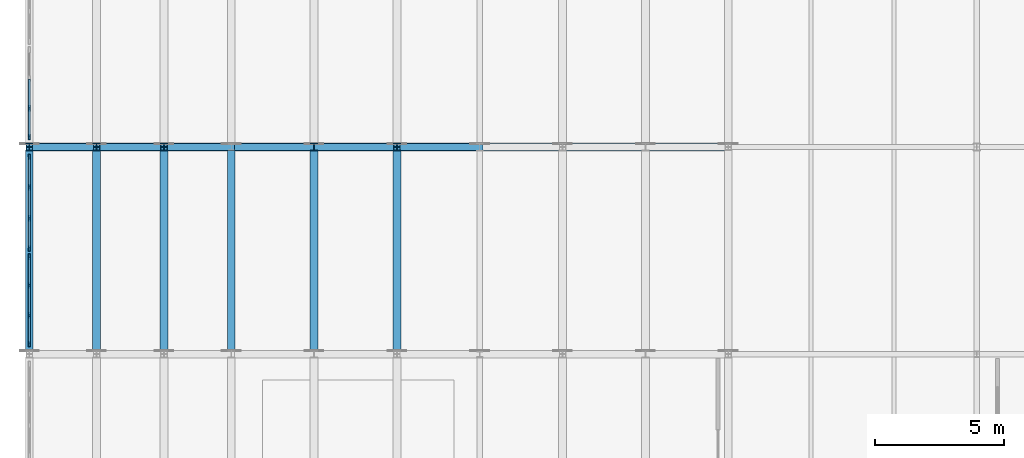
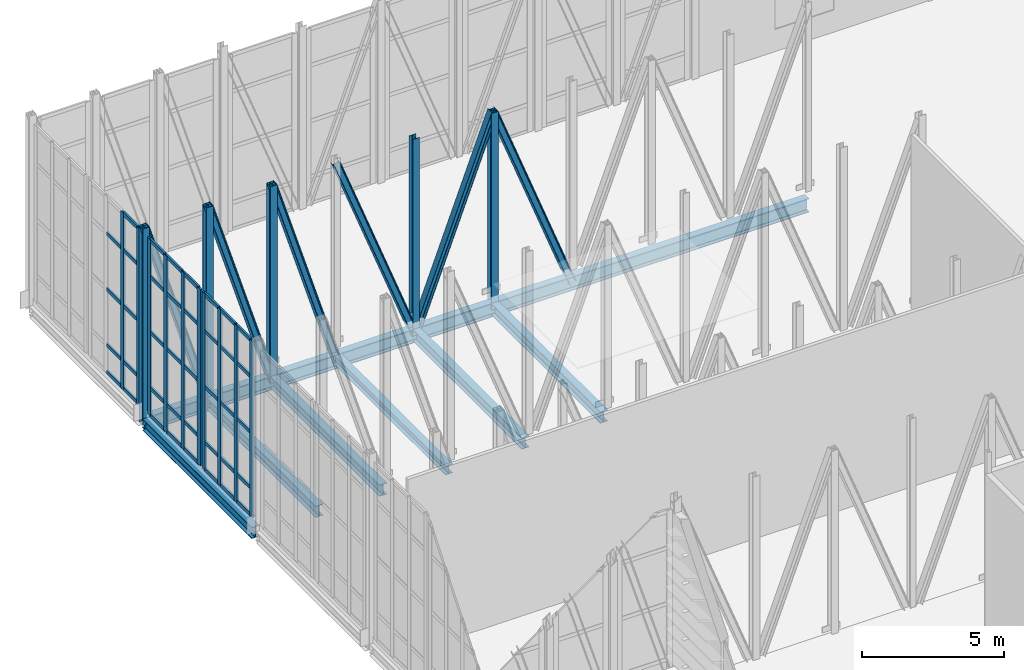
# One storey, part 42 of 73: 60 members, 7 beams, 3 elements without a shape of their own.
"""IFC4 building model written with IfcOpenShell, lengths in metres."""

from ifc_helpers import new_model, si_unit, direction, frame, origin, origin_2d, place, context, subcontext, project, spatial, rectangle, i_section, extrude, material, layer, layer_set, material_profile, profile_set, type_object, element, aggregate, save


model = new_model("IFC4")

# Units and contexts
model_context = context("Model", 3, precision=1e-05, world=origin(), true_north=direction((0.0, 1.0)))
body_context = subcontext(model_context, "Body", "Model", "MODEL_VIEW")
ifc_project = project(units=[si_unit("LENGTHUNIT", "METRE"), si_unit("AREAUNIT", "SQUARE_METRE"), si_unit("VOLUMEUNIT", "CUBIC_METRE"), si_unit("PLANEANGLEUNIT", "RADIAN"), si_unit("MASSUNIT", "GRAM", prefix="KILO")], contexts=[model_context])

# Site, building, storey
site_placement = place(None, origin())
site = spatial("IfcSite", under=ifc_project, at=site_placement, CompositionType="ELEMENT")
building_placement = place(site_placement, origin())
building = spatial("IfcBuilding", under=site, at=building_placement, Name="Alderhovde Museum", CompositionType="ELEMENT")
storey_placement = place(building_placement, frame((0.0, 0.0, 17.39990234375)))
storey = spatial("IfcBuildingStorey", under=building, at=storey_placement, Name="L04", CompositionType="ELEMENT", Elevation=17.39990234375)

# Beams
ifc_material_1 = material(Name="Steel S355J2", Category="steel")
ifc_material_profile_1 = material_profile(ifc_material_1, i_section(OverallWidth=0.300048828125, OverallDepth=0.389892578125, WebThickness=0.010986328125, FlangeThickness=0.01904296875, FilletRadius=0.027099609375, at=origin_2d()), Name="HEA 400")
ifc_profile_set_1 = profile_set([ifc_material_profile_1], Name="Steel S355J2")
beam_type_1 = type_object("IfcBeamType", Name="BM-HEA400", PredefinedType="BEAM", material=ifc_profile_set_1)
beam_1_placement = place(storey_placement, frame((9.60009765625, 96.0, -0.474853515625), z_axis=(0.0, 1.0, 0.0), x_axis=(-1.0, 0.0, 0.0)))
element("IfcBeam", 1, at=beam_1_placement, inside=storey, type_object=beam_type_1, Name="L04 Grid Beam X=9.6 (96.0 TO 104.0)", PredefinedType="BEAM", context=body_context, shape_type="SweptSolid", body=[
    extrude(i_section(OverallWidth=0.300048828125, OverallDepth=0.389892578125, WebThickness=0.010986328125, FlangeThickness=0.01904296875, FilletRadius=0.027099609375, at=origin_2d()), origin(), (0.0, 0.0, 1.0), 8.0),
])
ifc_material_2 = material(Name="Steel S355J2", Category="steel")
ifc_material_profile_2 = material_profile(ifc_material_2, i_section(OverallWidth=0.300048828125, OverallDepth=0.489990234375, WebThickness=0.011962890625, FlangeThickness=0.02294921875, FilletRadius=0.027099609375, at=origin_2d()), Name="HEA 500")
ifc_profile_set_2 = profile_set([ifc_material_profile_2], Name="Steel S355J2")
beam_type_2 = type_object("IfcBeamType", Name="BM-HEA500", PredefinedType="BEAM", material=ifc_profile_set_2)
for number, where, z_axis, x_axis, name in (
    (2, (1.800048828125, 96.14990234375, -0.52490234375), (0.0, 1.0, 0.0), (-1.0, 0.0, 0.0), "L04 Transfer Transverse Beam X=1.8"),
    (3, (4.39990234375, 96.14990234375, -0.52490234375), (0.0, 1.0, 0.0), (-1.0, 0.0, 0.0), "L04 Transfer Transverse Beam X=4.4"),
    (4, (7.0, 96.14990234375, -0.52490234375), (0.0, 1.0, 0.0), (-1.0, 0.0, 0.0), "L04 Transfer Transverse Beam X=7.0"),
    (5, (12.800048828125, 96.14990234375, -0.52490234375), (0.0, 1.0, 0.0), (-1.0, 0.0, 0.0), "L04 Transfer Transverse Beam X=12.8"),
    (6, (16.0, 96.14990234375, -0.52490234375), (0.0, 1.0, 0.0), (-1.0, 0.0, 0.0), "L04 Transfer Transverse Beam X=16.0"),
):
    element("IfcBeam", number, at=place(storey_placement, frame(where, z_axis=z_axis, x_axis=x_axis)), inside=storey, type_object=beam_type_2, Name=name, PredefinedType="BEAM", context=body_context, shape_type="SweptSolid", body=[
        extrude(i_section(OverallWidth=0.300048828125, OverallDepth=0.489990234375, WebThickness=0.011962890625, FlangeThickness=0.02294921875, FilletRadius=0.027099609375, at=origin_2d()), origin(), (0.0, 0.0, 1.0), 7.7001953125),
    ])
ifc_material_3 = material(Name="Steel S355J2", Category="steel")
ifc_material_profile_3 = material_profile(ifc_material_3, i_section(OverallWidth=0.300048828125, OverallDepth=0.60009765625, WebThickness=0.015380859375, FlangeThickness=0.030029296875, FilletRadius=0.027099609375, at=origin_2d()), Name="HEB 600")
ifc_profile_set_3 = profile_set([ifc_material_profile_3], Name="Steel S355J2")
beam_type_3 = type_object("IfcBeamType", Name="BM-HEB600", PredefinedType="BEAM", material=ifc_profile_set_3)
beam_2_placement = place(storey_placement, frame((1.800048828125, 104.0, -0.579833984375), z_axis=(1.0, 0.0, 0.0), x_axis=(0.0, 1.0, 0.0)))
element("IfcBeam", 7, at=beam_2_placement, inside=storey, type_object=beam_type_3, Name="Transfer Truss Y=104 MID Continuous Chord", PredefinedType="BEAM", context=body_context, shape_type="SweptSolid", body=[
    extrude(i_section(OverallWidth=0.300048828125, OverallDepth=0.60009765625, WebThickness=0.015380859375, FlangeThickness=0.030029296875, FilletRadius=0.027099609375, at=origin_2d()), origin(), (0.0, 0.0, 1.0), 27.0),
])

# Curtain wall, members
ifc_material_4 = material(Name="Triple-Glazed Bronze-Anodised Curtain Wall", Category="glass")
ifc_layer_1 = layer(ifc_material_4, 0.219970703125)
ifc_layer_set_1 = layer_set([ifc_layer_1], Name="Triple-Glazed Bronze-Anodised Curtain Wall")
curtain_wall_type_1 = type_object("IfcCurtainWallType", Name="CW-UNIT-345x760", PredefinedType="USERDEFINED", material=ifc_layer_set_1)
curtain_wall_1_placement = place(storey_placement, origin())
curtain_wall_1 = element("IfcCurtainWall", 8, at=curtain_wall_1_placement, inside=storey, type_object=curtain_wall_type_1, Name="L04 Unitised Curtain Wall 115", ObjectType="UNITISED CURTAIN WALL", PredefinedType="USERDEFINED")
ifc_material_5 = material(Name="Bronze-Anodised Aluminium EN AW-6063-T6", Category="aluminium")
ifc_material_profile_4 = material_profile(ifc_material_5, rectangle(XDim=0.074951171875, YDim=0.219970703125, at=origin_2d()), Name="MULLION 75x220")
ifc_profile_set_4 = profile_set([ifc_material_profile_4], Name="Bronze-Anodised Aluminium EN AW-6063-T6")
member_type_1 = type_object("IfcMemberType", Name="CWM-75x220", PredefinedType="MULLION", material=ifc_profile_set_4)
member_1_placement = place(storey_placement, frame((1.800048828125, 96.387451171875, 0.0), z_axis=(0.0, 0.0, 1.0), x_axis=(-1.0, 0.0, 0.0)))
member_1 = element("IfcMember", 9, at=member_1_placement, type_object=member_type_1, Name="CW27 mullion 1", PredefinedType="MULLION", context=body_context, shape_type="SweptSolid", body=[
    extrude(rectangle(XDim=0.074951171875, YDim=0.219970703125, at=origin_2d()), origin(), (0.0, 0.0, 1.0), 7.60009765625),
])
member_2_placement = place(storey_placement, frame((1.800048828125, 97.5, 0.0), z_axis=(0.0, 0.0, 1.0), x_axis=(-1.0, 0.0, 0.0)))
member_2 = element("IfcMember", 10, at=member_2_placement, type_object=member_type_1, Name="CW27 mullion 2", PredefinedType="MULLION", context=body_context, shape_type="SweptSolid", body=[
    extrude(rectangle(XDim=0.074951171875, YDim=0.219970703125, at=origin_2d()), origin(), (0.0, 0.0, 1.0), 7.60009765625),
])
member_3_placement = place(storey_placement, frame((1.800048828125, 98.64990234375, 0.0), z_axis=(0.0, 0.0, 1.0), x_axis=(-1.0, 0.0, 0.0)))
member_3 = element("IfcMember", 11, at=member_3_placement, type_object=member_type_1, Name="CW27 mullion 3", PredefinedType="MULLION", context=body_context, shape_type="SweptSolid", body=[
    extrude(rectangle(XDim=0.074951171875, YDim=0.219970703125, at=origin_2d()), origin(), (0.0, 0.0, 1.0), 7.60009765625),
])
member_4_placement = place(storey_placement, frame((1.800048828125, 99.762451171875, 0.0), z_axis=(0.0, 0.0, 1.0), x_axis=(-1.0, 0.0, 0.0)))
member_4 = element("IfcMember", 12, at=member_4_placement, type_object=member_type_1, Name="CW27 mullion 4", PredefinedType="MULLION", context=body_context, shape_type="SweptSolid", body=[
    extrude(rectangle(XDim=0.074951171875, YDim=0.219970703125, at=origin_2d()), origin(), (0.0, 0.0, 1.0), 7.60009765625),
])

ifc_material_6 = material(Name="Triple-Glazed Bronze-Anodised Curtain Wall", Category="glass")
ifc_layer_2 = layer(ifc_material_6, 0.219970703125)
ifc_layer_set_2 = layer_set([ifc_layer_2], Name="Triple-Glazed Bronze-Anodised Curtain Wall")
curtain_wall_type_2 = type_object("IfcCurtainWallType", Name="CW-UNIT-360x760", PredefinedType="USERDEFINED", material=ifc_layer_set_2)
curtain_wall_2_placement = place(storey_placement, origin())
curtain_wall_2 = element("IfcCurtainWall", 13, at=curtain_wall_2_placement, inside=storey, type_object=curtain_wall_type_2, Name="L04 Unitised Curtain Wall 116", ObjectType="UNITISED CURTAIN WALL", PredefinedType="USERDEFINED")
member_5_placement = place(storey_placement, frame((1.800048828125, 100.08740234375, 0.0), z_axis=(0.0, 0.0, 1.0), x_axis=(-1.0, 0.0, 0.0)))
member_5 = element("IfcMember", 14, at=member_5_placement, type_object=member_type_1, Name="CW28 mullion 1", PredefinedType="MULLION", context=body_context, shape_type="SweptSolid", body=[
    extrude(rectangle(XDim=0.074951171875, YDim=0.219970703125, at=origin_2d()), origin(), (0.0, 0.0, 1.0), 7.60009765625),
])
member_6_placement = place(storey_placement, frame((1.800048828125, 101.25, 0.0), z_axis=(0.0, 0.0, 1.0), x_axis=(-1.0, 0.0, 0.0)))
member_6 = element("IfcMember", 15, at=member_6_placement, type_object=member_type_1, Name="CW28 mullion 2", PredefinedType="MULLION", context=body_context, shape_type="SweptSolid", body=[
    extrude(rectangle(XDim=0.074951171875, YDim=0.219970703125, at=origin_2d()), origin(), (0.0, 0.0, 1.0), 7.60009765625),
])
member_7_placement = place(storey_placement, frame((1.800048828125, 102.449951171875, 0.0), z_axis=(0.0, 0.0, 1.0), x_axis=(-1.0, 0.0, 0.0)))
member_7 = element("IfcMember", 16, at=member_7_placement, type_object=member_type_1, Name="CW28 mullion 3", PredefinedType="MULLION", context=body_context, shape_type="SweptSolid", body=[
    extrude(rectangle(XDim=0.074951171875, YDim=0.219970703125, at=origin_2d()), origin(), (0.0, 0.0, 1.0), 7.60009765625),
])
member_8_placement = place(storey_placement, frame((1.800048828125, 103.612548828125, 0.0), z_axis=(0.0, 0.0, 1.0), x_axis=(-1.0, 0.0, 0.0)))
member_8 = element("IfcMember", 17, at=member_8_placement, type_object=member_type_1, Name="CW28 mullion 4", PredefinedType="MULLION", context=body_context, shape_type="SweptSolid", body=[
    extrude(rectangle(XDim=0.074951171875, YDim=0.219970703125, at=origin_2d()), origin(), (0.0, 0.0, 1.0), 7.60009765625),
])

curtain_wall_3_placement = place(storey_placement, origin())
curtain_wall_3 = element("IfcCurtainWall", 18, at=curtain_wall_3_placement, inside=storey, type_object=curtain_wall_type_1, Name="L04 Unitised Curtain Wall 117", ObjectType="UNITISED CURTAIN WALL", PredefinedType="USERDEFINED")
member_9_placement = place(storey_placement, frame((1.800048828125, 104.387451171875, 0.0), z_axis=(0.0, 0.0, 1.0), x_axis=(-1.0, 0.0, 0.0)))
member_9 = element("IfcMember", 19, at=member_9_placement, type_object=member_type_1, Name="CW27 mullion 1", PredefinedType="MULLION", context=body_context, shape_type="SweptSolid", body=[
    extrude(rectangle(XDim=0.074951171875, YDim=0.219970703125, at=origin_2d()), origin(), (0.0, 0.0, 1.0), 7.60009765625),
])
member_10_placement = place(storey_placement, frame((1.800048828125, 105.5, 0.0), z_axis=(0.0, 0.0, 1.0), x_axis=(-1.0, 0.0, 0.0)))
member_10 = element("IfcMember", 20, at=member_10_placement, type_object=member_type_1, Name="CW27 mullion 2", PredefinedType="MULLION", context=body_context, shape_type="SweptSolid", body=[
    extrude(rectangle(XDim=0.074951171875, YDim=0.219970703125, at=origin_2d()), origin(), (0.0, 0.0, 1.0), 7.60009765625),
])

# Member
ifc_material_7 = material(Name="Bronze-Anodised Aluminium EN AW-6063-T6", Category="aluminium")
ifc_material_profile_5 = material_profile(ifc_material_7, rectangle(XDim=0.074951171875, YDim=0.159912109375, at=origin_2d()), Name="TRANSOM 75x160")
ifc_profile_set_5 = profile_set([ifc_material_profile_5], Name="Bronze-Anodised Aluminium EN AW-6063-T6")
member_type_2 = type_object("IfcMemberType", Name="CWT-75x160", PredefinedType="USERDEFINED", material=ifc_profile_set_5)
member_11_placement = place(storey_placement, frame((1.800048828125, 96.425048828125, 0.03759765625), z_axis=(0.0, 1.0, 0.0), x_axis=(-1.0, 0.0, 0.0)))
member_11 = element("IfcMember", 21, at=member_11_placement, type_object=member_type_2, Name="CW27 transom 1.1", ObjectType="TRANSOM", PredefinedType="USERDEFINED", context=body_context, shape_type="SweptSolid", body=[
    extrude(rectangle(XDim=0.074951171875, YDim=0.159912109375, at=origin_2d()), origin(), (0.0, 0.0, 1.0), 1.037353515625),
])

member_12_placement = place(storey_placement, frame((1.800048828125, 96.425048828125, 1.2001953125), z_axis=(0.0, 1.0, 0.0), x_axis=(-1.0, 0.0, 0.0)))
member_12 = element("IfcMember", 22, at=member_12_placement, type_object=member_type_2, Name="CW27 transom 1.2", ObjectType="TRANSOM", PredefinedType="USERDEFINED", context=body_context, shape_type="SweptSolid", body=[
    extrude(rectangle(XDim=0.074951171875, YDim=0.159912109375, at=origin_2d()), origin(), (0.0, 0.0, 1.0), 1.037353515625),
])

member_13_placement = place(storey_placement, frame((1.800048828125, 96.425048828125, 3.60009765625), z_axis=(0.0, 1.0, 0.0), x_axis=(-1.0, 0.0, 0.0)))
member_13 = element("IfcMember", 23, at=member_13_placement, type_object=member_type_2, Name="CW27 transom 1.3", ObjectType="TRANSOM", PredefinedType="USERDEFINED", context=body_context, shape_type="SweptSolid", body=[
    extrude(rectangle(XDim=0.074951171875, YDim=0.159912109375, at=origin_2d()), origin(), (0.0, 0.0, 1.0), 1.037353515625),
])

member_14_placement = place(storey_placement, frame((1.800048828125, 96.425048828125, 6.0), z_axis=(0.0, 1.0, 0.0), x_axis=(-1.0, 0.0, 0.0)))
member_14 = element("IfcMember", 24, at=member_14_placement, type_object=member_type_2, Name="CW27 transom 1.4", ObjectType="TRANSOM", PredefinedType="USERDEFINED", context=body_context, shape_type="SweptSolid", body=[
    extrude(rectangle(XDim=0.074951171875, YDim=0.159912109375, at=origin_2d()), origin(), (0.0, 0.0, 1.0), 1.037353515625),
])

member_15_placement = place(storey_placement, frame((1.800048828125, 96.425048828125, 7.5625), z_axis=(0.0, 1.0, 0.0), x_axis=(-1.0, 0.0, 0.0)))
member_15 = element("IfcMember", 25, at=member_15_placement, type_object=member_type_2, Name="CW27 transom 1.5", ObjectType="TRANSOM", PredefinedType="USERDEFINED", context=body_context, shape_type="SweptSolid", body=[
    extrude(rectangle(XDim=0.074951171875, YDim=0.159912109375, at=origin_2d()), origin(), (0.0, 0.0, 1.0), 1.037353515625),
])

member_16_placement = place(storey_placement, frame((1.800048828125, 97.53759765625, 0.03759765625), z_axis=(0.0, 1.0, 0.0), x_axis=(-1.0, 0.0, 0.0)))
member_16 = element("IfcMember", 26, at=member_16_placement, type_object=member_type_2, Name="CW27 transom 2.1", ObjectType="TRANSOM", PredefinedType="USERDEFINED", context=body_context, shape_type="SweptSolid", body=[
    extrude(rectangle(XDim=0.074951171875, YDim=0.159912109375, at=origin_2d()), origin(), (0.0, 0.0, 1.0), 1.074951171875),
])

member_17_placement = place(storey_placement, frame((1.800048828125, 97.53759765625, 1.2001953125), z_axis=(0.0, 1.0, 0.0), x_axis=(-1.0, 0.0, 0.0)))
member_17 = element("IfcMember", 27, at=member_17_placement, type_object=member_type_2, Name="CW27 transom 2.2", ObjectType="TRANSOM", PredefinedType="USERDEFINED", context=body_context, shape_type="SweptSolid", body=[
    extrude(rectangle(XDim=0.074951171875, YDim=0.159912109375, at=origin_2d()), origin(), (0.0, 0.0, 1.0), 1.074951171875),
])

member_18_placement = place(storey_placement, frame((1.800048828125, 97.53759765625, 3.60009765625), z_axis=(0.0, 1.0, 0.0), x_axis=(-1.0, 0.0, 0.0)))
member_18 = element("IfcMember", 28, at=member_18_placement, type_object=member_type_2, Name="CW27 transom 2.3", ObjectType="TRANSOM", PredefinedType="USERDEFINED", context=body_context, shape_type="SweptSolid", body=[
    extrude(rectangle(XDim=0.074951171875, YDim=0.159912109375, at=origin_2d()), origin(), (0.0, 0.0, 1.0), 1.074951171875),
])

member_19_placement = place(storey_placement, frame((1.800048828125, 97.53759765625, 6.0), z_axis=(0.0, 1.0, 0.0), x_axis=(-1.0, 0.0, 0.0)))
member_19 = element("IfcMember", 29, at=member_19_placement, type_object=member_type_2, Name="CW27 transom 2.4", ObjectType="TRANSOM", PredefinedType="USERDEFINED", context=body_context, shape_type="SweptSolid", body=[
    extrude(rectangle(XDim=0.074951171875, YDim=0.159912109375, at=origin_2d()), origin(), (0.0, 0.0, 1.0), 1.074951171875),
])

member_20_placement = place(storey_placement, frame((1.800048828125, 97.53759765625, 7.5625), z_axis=(0.0, 1.0, 0.0), x_axis=(-1.0, 0.0, 0.0)))
member_20 = element("IfcMember", 30, at=member_20_placement, type_object=member_type_2, Name="CW27 transom 2.5", ObjectType="TRANSOM", PredefinedType="USERDEFINED", context=body_context, shape_type="SweptSolid", body=[
    extrude(rectangle(XDim=0.074951171875, YDim=0.159912109375, at=origin_2d()), origin(), (0.0, 0.0, 1.0), 1.074951171875),
])

member_21_placement = place(storey_placement, frame((1.800048828125, 98.6875, 0.03759765625), z_axis=(0.0, 1.0, 0.0), x_axis=(-1.0, 0.0, 0.0)))
member_21 = element("IfcMember", 31, at=member_21_placement, type_object=member_type_2, Name="CW27 transom 3.1", ObjectType="TRANSOM", PredefinedType="USERDEFINED", context=body_context, shape_type="SweptSolid", body=[
    extrude(rectangle(XDim=0.074951171875, YDim=0.159912109375, at=origin_2d()), origin(), (0.0, 0.0, 1.0), 1.03759765625),
])

member_22_placement = place(storey_placement, frame((1.800048828125, 98.6875, 1.2001953125), z_axis=(0.0, 1.0, 0.0), x_axis=(-1.0, 0.0, 0.0)))
member_22 = element("IfcMember", 32, at=member_22_placement, type_object=member_type_2, Name="CW27 transom 3.2", ObjectType="TRANSOM", PredefinedType="USERDEFINED", context=body_context, shape_type="SweptSolid", body=[
    extrude(rectangle(XDim=0.074951171875, YDim=0.159912109375, at=origin_2d()), origin(), (0.0, 0.0, 1.0), 1.03759765625),
])

member_23_placement = place(storey_placement, frame((1.800048828125, 98.6875, 3.60009765625), z_axis=(0.0, 1.0, 0.0), x_axis=(-1.0, 0.0, 0.0)))
member_23 = element("IfcMember", 33, at=member_23_placement, type_object=member_type_2, Name="CW27 transom 3.3", ObjectType="TRANSOM", PredefinedType="USERDEFINED", context=body_context, shape_type="SweptSolid", body=[
    extrude(rectangle(XDim=0.074951171875, YDim=0.159912109375, at=origin_2d()), origin(), (0.0, 0.0, 1.0), 1.03759765625),
])

member_24_placement = place(storey_placement, frame((1.800048828125, 98.6875, 6.0), z_axis=(0.0, 1.0, 0.0), x_axis=(-1.0, 0.0, 0.0)))
member_24 = element("IfcMember", 34, at=member_24_placement, type_object=member_type_2, Name="CW27 transom 3.4", ObjectType="TRANSOM", PredefinedType="USERDEFINED", context=body_context, shape_type="SweptSolid", body=[
    extrude(rectangle(XDim=0.074951171875, YDim=0.159912109375, at=origin_2d()), origin(), (0.0, 0.0, 1.0), 1.03759765625),
])

member_25_placement = place(storey_placement, frame((1.800048828125, 98.6875, 7.5625), z_axis=(0.0, 1.0, 0.0), x_axis=(-1.0, 0.0, 0.0)))
member_25 = element("IfcMember", 35, at=member_25_placement, type_object=member_type_2, Name="CW27 transom 3.5", ObjectType="TRANSOM", PredefinedType="USERDEFINED", context=body_context, shape_type="SweptSolid", body=[
    extrude(rectangle(XDim=0.074951171875, YDim=0.159912109375, at=origin_2d()), origin(), (0.0, 0.0, 1.0), 1.03759765625),
])

aggregate(curtain_wall_1, [member_1, member_2, member_3, member_4, member_11, member_12, member_13, member_14, member_15, member_16, member_17, member_18, member_19, member_20, member_21, member_22, member_23, member_24, member_25])

member_26_placement = place(storey_placement, frame((1.800048828125, 100.125, 0.03759765625), z_axis=(0.0, 1.0, 0.0), x_axis=(-1.0, 0.0, 0.0)))
member_26 = element("IfcMember", 36, at=member_26_placement, type_object=member_type_2, Name="CW28 transom 1.1", ObjectType="TRANSOM", PredefinedType="USERDEFINED", context=body_context, shape_type="SweptSolid", body=[
    extrude(rectangle(XDim=0.074951171875, YDim=0.159912109375, at=origin_2d()), origin(), (0.0, 0.0, 1.0), 1.08740234375),
])

member_27_placement = place(storey_placement, frame((1.800048828125, 100.125, 1.2001953125), z_axis=(0.0, 1.0, 0.0), x_axis=(-1.0, 0.0, 0.0)))
member_27 = element("IfcMember", 37, at=member_27_placement, type_object=member_type_2, Name="CW28 transom 1.2", ObjectType="TRANSOM", PredefinedType="USERDEFINED", context=body_context, shape_type="SweptSolid", body=[
    extrude(rectangle(XDim=0.074951171875, YDim=0.159912109375, at=origin_2d()), origin(), (0.0, 0.0, 1.0), 1.08740234375),
])

member_28_placement = place(storey_placement, frame((1.800048828125, 100.125, 3.60009765625), z_axis=(0.0, 1.0, 0.0), x_axis=(-1.0, 0.0, 0.0)))
member_28 = element("IfcMember", 38, at=member_28_placement, type_object=member_type_2, Name="CW28 transom 1.3", ObjectType="TRANSOM", PredefinedType="USERDEFINED", context=body_context, shape_type="SweptSolid", body=[
    extrude(rectangle(XDim=0.074951171875, YDim=0.159912109375, at=origin_2d()), origin(), (0.0, 0.0, 1.0), 1.08740234375),
])

member_29_placement = place(storey_placement, frame((1.800048828125, 100.125, 6.0), z_axis=(0.0, 1.0, 0.0), x_axis=(-1.0, 0.0, 0.0)))
member_29 = element("IfcMember", 39, at=member_29_placement, type_object=member_type_2, Name="CW28 transom 1.4", ObjectType="TRANSOM", PredefinedType="USERDEFINED", context=body_context, shape_type="SweptSolid", body=[
    extrude(rectangle(XDim=0.074951171875, YDim=0.159912109375, at=origin_2d()), origin(), (0.0, 0.0, 1.0), 1.08740234375),
])

member_30_placement = place(storey_placement, frame((1.800048828125, 100.125, 7.5625), z_axis=(0.0, 1.0, 0.0), x_axis=(-1.0, 0.0, 0.0)))
member_30 = element("IfcMember", 40, at=member_30_placement, type_object=member_type_2, Name="CW28 transom 1.5", ObjectType="TRANSOM", PredefinedType="USERDEFINED", context=body_context, shape_type="SweptSolid", body=[
    extrude(rectangle(XDim=0.074951171875, YDim=0.159912109375, at=origin_2d()), origin(), (0.0, 0.0, 1.0), 1.08740234375),
])

member_31_placement = place(storey_placement, frame((1.800048828125, 101.28759765625, 0.03759765625), z_axis=(0.0, 1.0, 0.0), x_axis=(-1.0, 0.0, 0.0)))
member_31 = element("IfcMember", 41, at=member_31_placement, type_object=member_type_2, Name="CW28 transom 2.1", ObjectType="TRANSOM", PredefinedType="USERDEFINED", context=body_context, shape_type="SweptSolid", body=[
    extrude(rectangle(XDim=0.074951171875, YDim=0.159912109375, at=origin_2d()), origin(), (0.0, 0.0, 1.0), 1.125),
])

member_32_placement = place(storey_placement, frame((1.800048828125, 101.28759765625, 1.2001953125), z_axis=(0.0, 1.0, 0.0), x_axis=(-1.0, 0.0, 0.0)))
member_32 = element("IfcMember", 42, at=member_32_placement, type_object=member_type_2, Name="CW28 transom 2.2", ObjectType="TRANSOM", PredefinedType="USERDEFINED", context=body_context, shape_type="SweptSolid", body=[
    extrude(rectangle(XDim=0.074951171875, YDim=0.159912109375, at=origin_2d()), origin(), (0.0, 0.0, 1.0), 1.125),
])

member_33_placement = place(storey_placement, frame((1.800048828125, 101.28759765625, 3.60009765625), z_axis=(0.0, 1.0, 0.0), x_axis=(-1.0, 0.0, 0.0)))
member_33 = element("IfcMember", 43, at=member_33_placement, type_object=member_type_2, Name="CW28 transom 2.3", ObjectType="TRANSOM", PredefinedType="USERDEFINED", context=body_context, shape_type="SweptSolid", body=[
    extrude(rectangle(XDim=0.074951171875, YDim=0.159912109375, at=origin_2d()), origin(), (0.0, 0.0, 1.0), 1.125),
])

member_34_placement = place(storey_placement, frame((1.800048828125, 101.28759765625, 6.0), z_axis=(0.0, 1.0, 0.0), x_axis=(-1.0, 0.0, 0.0)))
member_34 = element("IfcMember", 44, at=member_34_placement, type_object=member_type_2, Name="CW28 transom 2.4", ObjectType="TRANSOM", PredefinedType="USERDEFINED", context=body_context, shape_type="SweptSolid", body=[
    extrude(rectangle(XDim=0.074951171875, YDim=0.159912109375, at=origin_2d()), origin(), (0.0, 0.0, 1.0), 1.125),
])

member_35_placement = place(storey_placement, frame((1.800048828125, 101.28759765625, 7.5625), z_axis=(0.0, 1.0, 0.0), x_axis=(-1.0, 0.0, 0.0)))
member_35 = element("IfcMember", 45, at=member_35_placement, type_object=member_type_2, Name="CW28 transom 2.5", ObjectType="TRANSOM", PredefinedType="USERDEFINED", context=body_context, shape_type="SweptSolid", body=[
    extrude(rectangle(XDim=0.074951171875, YDim=0.159912109375, at=origin_2d()), origin(), (0.0, 0.0, 1.0), 1.125),
])

member_36_placement = place(storey_placement, frame((1.800048828125, 102.487548828125, 0.03759765625), z_axis=(0.0, 1.0, 0.0), x_axis=(-1.0, 0.0, 0.0)))
member_36 = element("IfcMember", 46, at=member_36_placement, type_object=member_type_2, Name="CW28 transom 3.1", ObjectType="TRANSOM", PredefinedType="USERDEFINED", context=body_context, shape_type="SweptSolid", body=[
    extrude(rectangle(XDim=0.074951171875, YDim=0.159912109375, at=origin_2d()), origin(), (0.0, 0.0, 1.0), 1.08740234375),
])

member_37_placement = place(storey_placement, frame((1.800048828125, 102.487548828125, 1.2001953125), z_axis=(0.0, 1.0, 0.0), x_axis=(-1.0, 0.0, 0.0)))
member_37 = element("IfcMember", 47, at=member_37_placement, type_object=member_type_2, Name="CW28 transom 3.2", ObjectType="TRANSOM", PredefinedType="USERDEFINED", context=body_context, shape_type="SweptSolid", body=[
    extrude(rectangle(XDim=0.074951171875, YDim=0.159912109375, at=origin_2d()), origin(), (0.0, 0.0, 1.0), 1.08740234375),
])

member_38_placement = place(storey_placement, frame((1.800048828125, 102.487548828125, 3.60009765625), z_axis=(0.0, 1.0, 0.0), x_axis=(-1.0, 0.0, 0.0)))
member_38 = element("IfcMember", 48, at=member_38_placement, type_object=member_type_2, Name="CW28 transom 3.3", ObjectType="TRANSOM", PredefinedType="USERDEFINED", context=body_context, shape_type="SweptSolid", body=[
    extrude(rectangle(XDim=0.074951171875, YDim=0.159912109375, at=origin_2d()), origin(), (0.0, 0.0, 1.0), 1.08740234375),
])

member_39_placement = place(storey_placement, frame((1.800048828125, 102.487548828125, 6.0), z_axis=(0.0, 1.0, 0.0), x_axis=(-1.0, 0.0, 0.0)))
member_39 = element("IfcMember", 49, at=member_39_placement, type_object=member_type_2, Name="CW28 transom 3.4", ObjectType="TRANSOM", PredefinedType="USERDEFINED", context=body_context, shape_type="SweptSolid", body=[
    extrude(rectangle(XDim=0.074951171875, YDim=0.159912109375, at=origin_2d()), origin(), (0.0, 0.0, 1.0), 1.08740234375),
])

member_40_placement = place(storey_placement, frame((1.800048828125, 102.487548828125, 7.5625), z_axis=(0.0, 1.0, 0.0), x_axis=(-1.0, 0.0, 0.0)))
member_40 = element("IfcMember", 50, at=member_40_placement, type_object=member_type_2, Name="CW28 transom 3.5", ObjectType="TRANSOM", PredefinedType="USERDEFINED", context=body_context, shape_type="SweptSolid", body=[
    extrude(rectangle(XDim=0.074951171875, YDim=0.159912109375, at=origin_2d()), origin(), (0.0, 0.0, 1.0), 1.08740234375),
])

aggregate(curtain_wall_2, [member_5, member_6, member_7, member_8, member_26, member_27, member_28, member_29, member_30, member_31, member_32, member_33, member_34, member_35, member_36, member_37, member_38, member_39, member_40])

member_41_placement = place(storey_placement, frame((1.800048828125, 104.425048828125, 0.03759765625), z_axis=(0.0, 1.0, 0.0), x_axis=(-1.0, 0.0, 0.0)))
member_41 = element("IfcMember", 51, at=member_41_placement, type_object=member_type_2, Name="CW27 transom 1.1", ObjectType="TRANSOM", PredefinedType="USERDEFINED", context=body_context, shape_type="SweptSolid", body=[
    extrude(rectangle(XDim=0.074951171875, YDim=0.159912109375, at=origin_2d()), origin(), (0.0, 0.0, 1.0), 1.037353515625),
])

member_42_placement = place(storey_placement, frame((1.800048828125, 104.425048828125, 1.2001953125), z_axis=(0.0, 1.0, 0.0), x_axis=(-1.0, 0.0, 0.0)))
member_42 = element("IfcMember", 52, at=member_42_placement, type_object=member_type_2, Name="CW27 transom 1.2", ObjectType="TRANSOM", PredefinedType="USERDEFINED", context=body_context, shape_type="SweptSolid", body=[
    extrude(rectangle(XDim=0.074951171875, YDim=0.159912109375, at=origin_2d()), origin(), (0.0, 0.0, 1.0), 1.037353515625),
])

member_43_placement = place(storey_placement, frame((1.800048828125, 104.425048828125, 3.60009765625), z_axis=(0.0, 1.0, 0.0), x_axis=(-1.0, 0.0, 0.0)))
member_43 = element("IfcMember", 53, at=member_43_placement, type_object=member_type_2, Name="CW27 transom 1.3", ObjectType="TRANSOM", PredefinedType="USERDEFINED", context=body_context, shape_type="SweptSolid", body=[
    extrude(rectangle(XDim=0.074951171875, YDim=0.159912109375, at=origin_2d()), origin(), (0.0, 0.0, 1.0), 1.037353515625),
])

member_44_placement = place(storey_placement, frame((1.800048828125, 104.425048828125, 6.0), z_axis=(0.0, 1.0, 0.0), x_axis=(-1.0, 0.0, 0.0)))
member_44 = element("IfcMember", 54, at=member_44_placement, type_object=member_type_2, Name="CW27 transom 1.4", ObjectType="TRANSOM", PredefinedType="USERDEFINED", context=body_context, shape_type="SweptSolid", body=[
    extrude(rectangle(XDim=0.074951171875, YDim=0.159912109375, at=origin_2d()), origin(), (0.0, 0.0, 1.0), 1.037353515625),
])

member_45_placement = place(storey_placement, frame((1.800048828125, 104.425048828125, 7.5625), z_axis=(0.0, 1.0, 0.0), x_axis=(-1.0, 0.0, 0.0)))
member_45 = element("IfcMember", 55, at=member_45_placement, type_object=member_type_2, Name="CW27 transom 1.5", ObjectType="TRANSOM", PredefinedType="USERDEFINED", context=body_context, shape_type="SweptSolid", body=[
    extrude(rectangle(XDim=0.074951171875, YDim=0.159912109375, at=origin_2d()), origin(), (0.0, 0.0, 1.0), 1.037353515625),
])

member_46_placement = place(storey_placement, frame((1.800048828125, 105.53759765625, 0.03759765625), z_axis=(0.0, 1.0, 0.0), x_axis=(-1.0, 0.0, 0.0)))
member_46 = element("IfcMember", 56, at=member_46_placement, type_object=member_type_2, Name="CW27 transom 2.1", ObjectType="TRANSOM", PredefinedType="USERDEFINED", context=body_context, shape_type="SweptSolid", body=[
    extrude(rectangle(XDim=0.074951171875, YDim=0.159912109375, at=origin_2d()), origin(), (0.0, 0.0, 1.0), 1.074951171875),
])

member_47_placement = place(storey_placement, frame((1.800048828125, 105.53759765625, 1.2001953125), z_axis=(0.0, 1.0, 0.0), x_axis=(-1.0, 0.0, 0.0)))
member_47 = element("IfcMember", 57, at=member_47_placement, type_object=member_type_2, Name="CW27 transom 2.2", ObjectType="TRANSOM", PredefinedType="USERDEFINED", context=body_context, shape_type="SweptSolid", body=[
    extrude(rectangle(XDim=0.074951171875, YDim=0.159912109375, at=origin_2d()), origin(), (0.0, 0.0, 1.0), 1.074951171875),
])

member_48_placement = place(storey_placement, frame((1.800048828125, 105.53759765625, 3.60009765625), z_axis=(0.0, 1.0, 0.0), x_axis=(-1.0, 0.0, 0.0)))
member_48 = element("IfcMember", 58, at=member_48_placement, type_object=member_type_2, Name="CW27 transom 2.3", ObjectType="TRANSOM", PredefinedType="USERDEFINED", context=body_context, shape_type="SweptSolid", body=[
    extrude(rectangle(XDim=0.074951171875, YDim=0.159912109375, at=origin_2d()), origin(), (0.0, 0.0, 1.0), 1.074951171875),
])

member_49_placement = place(storey_placement, frame((1.800048828125, 105.53759765625, 6.0), z_axis=(0.0, 1.0, 0.0), x_axis=(-1.0, 0.0, 0.0)))
member_49 = element("IfcMember", 59, at=member_49_placement, type_object=member_type_2, Name="CW27 transom 2.4", ObjectType="TRANSOM", PredefinedType="USERDEFINED", context=body_context, shape_type="SweptSolid", body=[
    extrude(rectangle(XDim=0.074951171875, YDim=0.159912109375, at=origin_2d()), origin(), (0.0, 0.0, 1.0), 1.074951171875),
])

aggregate(curtain_wall_3, [member_9, member_10, member_41, member_42, member_43, member_44, member_45, member_46, member_47, member_48, member_49])

# Members
ifc_material_8 = material(Name="Steel S355J2", Category="steel")
ifc_material_profile_6 = material_profile(ifc_material_8, i_section(OverallWidth=0.280029296875, OverallDepth=0.27001953125, WebThickness=0.008056640625, FlangeThickness=0.012939453125, FilletRadius=0.02392578125, at=origin_2d()), Name="HEA 280")
ifc_profile_set_6 = profile_set([ifc_material_profile_6], Name="Steel S355J2")
member_type_3 = type_object("IfcMemberType", Name="TR-DG-HEA280", PredefinedType="STRUT", material=ifc_profile_set_6)
for number, where, z_axis, x_axis, name in (
    (60, (1.800048828125, 104.0, 7.89013671875), (0.293437112853, 0.0, -0.955978378835), (0.0, 1.0, 0.0), "Transfer Truss Y=104 T2 Diagonal 1"),
    (61, (4.39990234375, 104.0, 7.89013671875), (0.293462295251, 0.0, -0.955970648747), (0.0, 1.0, 0.0), "Transfer Truss Y=104 T2 Diagonal 2"),
    (62, (7.0, 104.0, 7.89013671875), (0.293462295251, 0.0, -0.955970648747), (0.0, 1.0, 0.0), "Transfer Truss Y=104 T2 Diagonal 3"),
):
    element("IfcMember", number, at=place(storey_placement, frame(where, z_axis=z_axis, x_axis=x_axis)), inside=storey, type_object=member_type_3, Name=name, PredefinedType="STRUT", context=body_context, shape_type="SweptSolid", body=[
        extrude(i_section(OverallWidth=0.280029296875, OverallDepth=0.27001953125, WebThickness=0.008056640625, FlangeThickness=0.012939453125, FilletRadius=0.02392578125, at=origin_2d()), origin(), (0.0, 0.0, 1.0), 8.860107421875),
    ])
for number, where, z_axis, x_axis, name in (
    (63, (9.60009765625, 104.0, 7.89013671875), (0.353418397118, 0.0, -0.935465358299), (0.0, 1.0, 0.0), "Transfer Truss Y=104 T2 Diagonal 4"),
    (64, (12.800048828125, 104.0, -0.579833984375), (0.353418397118, 0.0, 0.935465358299), (0.0, 1.0, 0.0), "Transfer Truss Y=104 T2 Diagonal 5"),
    (65, (16.0, 104.0, 7.89013671875), (0.353418397118, 0.0, -0.935465358299), (0.0, 1.0, 0.0), "Transfer Truss Y=104 T2 Diagonal 6"),
):
    element("IfcMember", number, at=place(storey_placement, frame(where, z_axis=z_axis, x_axis=x_axis)), inside=storey, type_object=member_type_3, Name=name, PredefinedType="STRUT", context=body_context, shape_type="SweptSolid", body=[
        extrude(i_section(OverallWidth=0.280029296875, OverallDepth=0.27001953125, WebThickness=0.008056640625, FlangeThickness=0.012939453125, FilletRadius=0.02392578125, at=origin_2d()), origin(), (0.0, 0.0, 1.0), 9.05419921875),
    ])
ifc_material_9 = material(Name="Steel S355J2", Category="steel")
ifc_material_profile_7 = material_profile(ifc_material_9, i_section(OverallWidth=0.280029296875, OverallDepth=0.280029296875, WebThickness=0.010498046875, FlangeThickness=0.01806640625, FilletRadius=0.02392578125, at=origin_2d()), Name="HEB 280")
ifc_profile_set_7 = profile_set([ifc_material_profile_7], Name="Steel S355J2")
member_type_4 = type_object("IfcMemberType", Name="TR-PS-HEB280", PredefinedType="POST", material=ifc_profile_set_7)
for number, where, z_axis, x_axis, name in (
    (66, (1.800048828125, 104.0, -0.579833984375), (0.0, 0.0, 1.0), (1.0, 0.0, 0.0), "Transfer Truss Y=104 T2 Post 1"),
    (67, (4.39990234375, 104.0, -0.579833984375), (0.0, 0.0, 1.0), (1.0, 0.0, 0.0), "Transfer Truss Y=104 T2 Post 2"),
    (68, (7.0, 104.0, -0.579833984375), (0.0, 0.0, 1.0), (1.0, 0.0, 0.0), "Transfer Truss Y=104 T2 Post 3"),
    (69, (12.800048828125, 104.0, -0.579833984375), (0.0, 0.0, 1.0), (1.0, 0.0, 0.0), "Transfer Truss Y=104 T2 Post 5"),
    (70, (16.0, 104.0, -0.579833984375), (0.0, 0.0, 1.0), (1.0, 0.0, 0.0), "Transfer Truss Y=104 T2 Post 6"),
):
    element("IfcMember", number, at=place(storey_placement, frame(where, z_axis=z_axis, x_axis=x_axis)), inside=storey, type_object=member_type_4, Name=name, PredefinedType="POST", context=body_context, shape_type="SweptSolid", body=[
        extrude(i_section(OverallWidth=0.280029296875, OverallDepth=0.280029296875, WebThickness=0.010498046875, FlangeThickness=0.01806640625, FilletRadius=0.02392578125, at=origin_2d()), origin(), (0.0, 0.0, 1.0), 8.469970703125),
    ])

save(model, "model.ifc")
